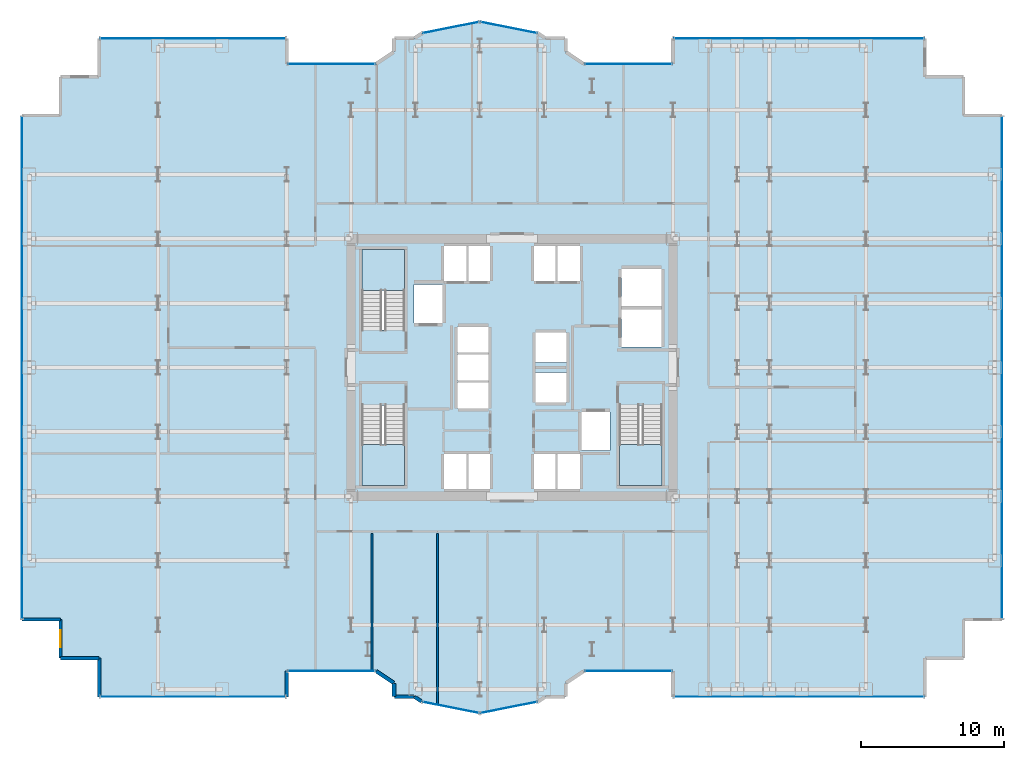
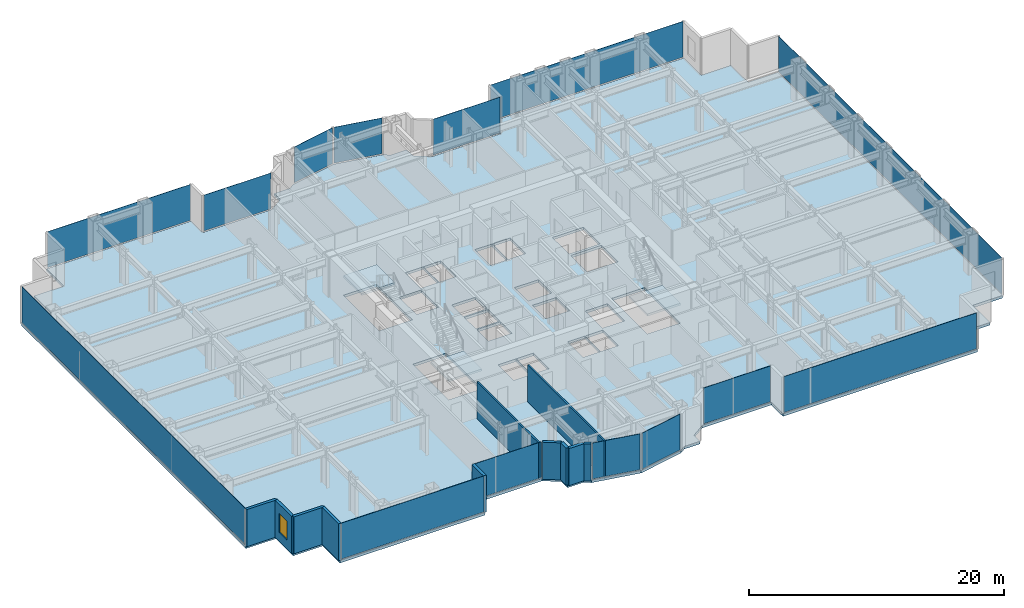
# One storey, part 19 of 26: 14 plates, 11 walls, 4 slabs, 1 window, 1 opening, 17 elements without a shape of their own.
"""IFC4 building model written with IfcOpenShell, lengths in metres."""

from ifc_helpers import new_model, si_unit, direction, frame, frame_2d, origin, origin_2d, place, context, subcontext, project, spatial, polyline, rectangle, outline, extrude, source, transform, mapped, material, layer, layer_set, type_object, element, fill, aggregate, save


model = new_model("IFC4")

# Units and contexts
model_context = context("Model", 3, precision=1e-05, world=origin(), true_north=direction((0.0, 1.0)))
body_context = subcontext(model_context, "Body", "Model", "MODEL_VIEW")
ifc_project = project(units=[si_unit("LENGTHUNIT", "METRE"), si_unit("AREAUNIT", "SQUARE_METRE"), si_unit("VOLUMEUNIT", "CUBIC_METRE"), si_unit("PLANEANGLEUNIT", "RADIAN"), si_unit("MASSUNIT", "GRAM", prefix="KILO")], contexts=[model_context])

# Site, building, storey
site_placement = place(None, origin())
site = spatial("IfcSite", under=ifc_project, at=site_placement, CompositionType="ELEMENT")
building_placement = place(site_placement, origin())
building = spatial("IfcBuilding", under=site, at=building_placement, Name="Nefas-Gora Pilgrimage Tower", CompositionType="ELEMENT")
storey_placement = place(building_placement, frame((0.0, 0.0, 59.60009765625)))
storey = spatial("IfcBuildingStorey", under=building, at=storey_placement, Name="L13", CompositionType="ELEMENT", Elevation=59.60009765625)

# Slab
ifc_material_1 = material(Name="Concrete C40/50", Category="concrete")
ifc_layer_1 = layer(ifc_material_1, 0.25)
ifc_layer_set_1 = layer_set([ifc_layer_1], Name="Concrete C40/50")
slab_type_1 = type_object("IfcSlabType", Name="SLB-TWR-250", PredefinedType="FLOOR", material=ifc_layer_set_1)
slab_1_placement = place(storey_placement, frame((0.0, 0.0, -0.25)))
element("IfcSlab", 1, at=slab_1_placement, inside=storey, type_object=slab_type_1, Name="L13 Structural Floor Slab", PredefinedType="FLOOR", context=body_context, shape_type="SweptSolid", body=[
    extrude(outline(polyline([(5.01806640625, -21.219970703125), (11.25, -21.219970703125), (11.25, -23.02001953125), (28.8701171875, -23.02001953125), (28.8701171875, -20.320068359375), (31.570068359375, -20.320068359375), (31.570068359375, -17.6201171875), (34.27001953125, -17.6201171875), (34.27001953125, 17.6201171875), (31.570068359375, 17.6201171875), (31.570068359375, 20.320068359375), (28.8701171875, 20.320068359375), (28.8701171875, 23.02001953125), (11.25, 23.02001953125), (11.25, 21.219970703125), (5.01806640625, 21.219970703125), (3.75, 22.0673828125), (3.75, 23.02001953125), (2.32421875, 23.02001953125), (1.807373046875, 23.365234375), (-2.25, 24.17236328125), (-6.307373046875, 23.365234375), (-6.82421875, 23.02001953125), (-8.25, 23.02001953125), (-8.25, 22.0673828125), (-9.51806640625, 21.219970703125), (-15.75, 21.219970703125), (-15.75, 23.02001953125), (-28.8701171875, 23.02001953125), (-28.8701171875, 20.320068359375), (-31.570068359375, 20.320068359375), (-31.570068359375, 17.6201171875), (-34.27001953125, 17.6201171875), (-34.27001953125, -17.6201171875), (-31.570068359375, -17.6201171875), (-31.570068359375, -20.320068359375), (-28.8701171875, -20.320068359375), (-28.8701171875, -23.02001953125), (-15.75, -23.02001953125), (-15.75, -21.219970703125), (-9.51806640625, -21.219970703125), (-8.25, -22.0673828125), (-8.25, -23.02001953125), (-6.82421875, -23.02001953125), (-6.307373046875, -23.365234375), (-2.25, -24.17236328125), (1.807373046875, -23.365234375), (2.32421875, -23.02001953125), (3.75, -23.02001953125), (3.75, -22.0673828125), (5.01806640625, -21.219970703125)]), holes=[polyline([(-10.5, 2.639892578125), (-10.5, 8.25), (-7.5, 8.25), (-7.5, 2.639892578125), (-10.5, 2.639892578125)]), polyline([(10.5, -2.639892578125), (10.5, -8.25), (7.5, -8.25), (7.5, -2.639892578125), (10.5, -2.639892578125)]), polyline([(-7.5, -2.639892578125), (-7.5, -8.25), (-10.5, -8.25), (-10.5, -2.639892578125), (-7.5, -2.639892578125)]), polyline([(-6.85009765625, 5.800048828125), (-4.85009765625, 5.800048828125), (-4.85009765625, 3.10009765625), (-6.85009765625, 3.10009765625), (-6.85009765625, 5.800048828125)]), polyline([(4.85009765625, -3.10009765625), (6.85009765625, -3.10009765625), (6.85009765625, -5.800048828125), (4.85009765625, -5.800048828125), (4.85009765625, -3.10009765625)]), polyline([(7.64990234375, 4.050048828125), (10.449951171875, 4.050048828125), (10.449951171875, 1.449951171875), (7.64990234375, 1.449951171875), (7.64990234375, 4.050048828125)]), polyline([(7.64990234375, 6.89990234375), (10.449951171875, 6.89990234375), (10.449951171875, 4.300048828125), (7.64990234375, 4.300048828125), (7.64990234375, 6.89990234375)]), polyline([(-4.75, 8.5), (-3.14990234375, 8.5), (-3.14990234375, 6.050048828125), (-4.75, 6.050048828125), (-4.75, 8.5)]), polyline([(-3.10009765625, 8.5), (-1.550048828125, 8.5), (-1.550048828125, 6.050048828125), (-3.10009765625, 6.050048828125), (-3.10009765625, 8.5)]), polyline([(1.550048828125, 8.5), (3.10009765625, 8.5), (3.10009765625, 6.050048828125), (1.550048828125, 6.050048828125), (1.550048828125, 8.5)]), polyline([(3.14990234375, 8.5), (4.75, 8.5), (4.75, 6.050048828125), (3.14990234375, 6.050048828125), (3.14990234375, 8.5)]), polyline([(-4.75, -6.050048828125), (-3.14990234375, -6.050048828125), (-3.14990234375, -8.5), (-4.75, -8.5), (-4.75, -6.050048828125)]), polyline([(-3.10009765625, -6.050048828125), (-1.550048828125, -6.050048828125), (-1.550048828125, -8.5), (-3.10009765625, -8.5), (-3.10009765625, -6.050048828125)]), polyline([(1.550048828125, -6.050048828125), (3.10009765625, -6.050048828125), (3.10009765625, -8.5), (1.550048828125, -8.5), (1.550048828125, -6.050048828125)]), polyline([(3.14990234375, -6.050048828125), (4.75, -6.050048828125), (4.75, -8.5), (3.14990234375, -8.5), (3.14990234375, -6.050048828125)]), polyline([(-3.800048828125, -1.050048828125), (-1.64990234375, -1.050048828125), (-1.64990234375, -2.85009765625), (-3.800048828125, -2.85009765625), (-3.800048828125, -1.050048828125)]), polyline([(-3.800048828125, 0.89990234375), (-1.64990234375, 0.89990234375), (-1.64990234375, -0.89990234375), (-3.800048828125, -0.89990234375), (-3.800048828125, 0.89990234375)]), polyline([(-3.800048828125, 2.85009765625), (-1.64990234375, 2.85009765625), (-1.64990234375, 1.050048828125), (-3.800048828125, 1.050048828125), (-3.800048828125, 2.85009765625)]), polyline([(1.64990234375, -0.35009765625), (3.800048828125, -0.35009765625), (3.800048828125, -2.449951171875), (1.64990234375, -2.449951171875), (1.64990234375, -0.35009765625)]), polyline([(1.64990234375, 2.449951171875), (3.800048828125, 2.449951171875), (3.800048828125, 0.35009765625), (1.64990234375, 0.35009765625), (1.64990234375, 2.449951171875)])]), origin(), (0.0, 0.0, 1.0), 0.25),
])

# Stair, slab
ifc_material_2 = material(Name="Concrete C45/55", Category="concrete")
stair_type = type_object("IfcStairType", Name="STR-1400-R1727", PredefinedType="HALF_TURN_STAIR", material=ifc_material_2)
stair_1_placement = place(storey_placement, origin())
stair_1 = element("IfcStair", 2, at=stair_1_placement, inside=storey, type_object=stair_type, Name="L13 Pressurised Tower Exit Stair ST-01", PredefinedType="HALF_TURN_STAIR")
ifc_layer_2 = layer(ifc_material_1, 0.199951171875)
ifc_layer_set_2 = layer_set([ifc_layer_2], Name="Concrete C40/50")
slab_type_2 = type_object("IfcSlabType", Name="STR-LAND-200", PredefinedType="LANDING", material=ifc_layer_set_2)
slab_2_placement = place(storey_placement, frame((0.0, 0.0, 1.699951171875)))
slab_2 = element("IfcSlab", 3, at=slab_2_placement, type_object=slab_type_2, Name="ST-01 landing 1", PredefinedType="LANDING", context=body_context, shape_type="SweptSolid", body=[
    extrude(outline(polyline([(-7.5, 5.39990234375), (-7.5, 8.25), (-10.5, 8.25), (-10.5, 5.39990234375), (-7.5, 5.39990234375)])), origin(), (0.0, 0.0, 1.0), 0.199951171875),
])
aggregate(stair_1, [slab_2])

stair_2_placement = place(storey_placement, origin())
stair_2 = element("IfcStair", 4, at=stair_2_placement, inside=storey, type_object=stair_type, Name="L13 Pressurised Tower Exit Stair ST-02", PredefinedType="HALF_TURN_STAIR")
slab_3_placement = place(storey_placement, frame((0.0, 0.0, 1.699951171875)))
slab_3 = element("IfcSlab", 5, at=slab_3_placement, type_object=slab_type_2, Name="ST-02 landing 1", PredefinedType="LANDING", context=body_context, shape_type="SweptSolid", body=[
    extrude(outline(polyline([(7.5, -5.39990234375), (7.5, -8.25), (10.5, -8.25), (10.5, -5.39990234375), (7.5, -5.39990234375)])), origin(), (0.0, 0.0, 1.0), 0.199951171875),
])
aggregate(stair_2, [slab_3])

stair_3_placement = place(storey_placement, origin())
stair_3 = element("IfcStair", 6, at=stair_3_placement, inside=storey, type_object=stair_type, Name="L13 Pressurised Tower Exit Stair ST-03", PredefinedType="HALF_TURN_STAIR")
slab_4_placement = place(storey_placement, frame((0.0, 0.0, 1.699951171875)))
slab_4 = element("IfcSlab", 7, at=slab_4_placement, type_object=slab_type_2, Name="ST-03 landing 1", PredefinedType="LANDING", context=body_context, shape_type="SweptSolid", body=[
    extrude(outline(polyline([(-10.5, -5.39990234375), (-10.5, -8.25), (-7.5, -8.25), (-7.5, -5.39990234375), (-10.5, -5.39990234375)])), origin(), (0.0, 0.0, 1.0), 0.199951171875),
])
aggregate(stair_3, [slab_4])

# Curtain wall, plate
ifc_material_3 = material(Name="Dark ceramic-fritted solar-control aluminium-glass curtain wall", Category="aluminium")
ifc_layer_3 = layer(ifc_material_3, 0.219970703125)
ifc_layer_set_3 = layer_set([ifc_layer_3], Name="Dark ceramic-fritted solar-control aluminium-glass curtain wall")
curtain_wall_type_1 = type_object("IfcCurtainWallType", Name="CW-SYS-5", PredefinedType="NOTDEFINED", material=ifc_layer_set_3)
curtain_wall_1_placement = place(storey_placement, origin())
curtain_wall_1 = element("IfcCurtainWall", 8, at=curtain_wall_1_placement, inside=storey, type_object=curtain_wall_type_1, Name="L13 Unitised Curtain Wall CW5", PredefinedType="NOTDEFINED")
ifc_material_4 = material(Name="Dark ceramic-printed low-e insulated glass", Category="glass")
ifc_layer_4 = layer(ifc_material_4, 0.028076171875)
ifc_layer_set_4 = layer_set([ifc_layer_4], Name="Dark ceramic-printed low-e insulated glass")
plate_type_1 = type_object("IfcPlateType", Name="CWP-PNL-5", PredefinedType="CURTAIN_PANEL", material=ifc_layer_set_4)
shared_shape_1 = source(origin(), body_context, "Body", "SweptSolid", [
    extrude(rectangle(XDim=6.052001953125, YDim=0.028076171875, at=origin_2d()), origin(), (0.0, 0.0, 1.0), 3.43994140625),
])
plate_1_placement = place(storey_placement, frame((8.134033203125, -21.219970703125, 0.099853515625), z_axis=(0.0, 0.0, 1.0), x_axis=(1.0, 0.0, 0.0)))
plate_1 = element("IfcPlate", 9, at=plate_1_placement, type_object=plate_type_1, Name="CW5 Ceramic-Fritted Glazing Panel 1", PredefinedType="CURTAIN_PANEL", context=body_context, shape_type="MappedRepresentation", body=[
    mapped(shared_shape_1, transform((0.0, 0.0, 0.0), x_axis=(1.0, 0.0, 0.0), y_axis=(0.0, 1.0, 0.0), z_axis=(0.0, 0.0, 1.0), scale=1.0)),
])
aggregate(curtain_wall_1, [plate_1])

curtain_wall_2_placement = place(storey_placement, origin())
curtain_wall_2 = element("IfcCurtainWall", 10, at=curtain_wall_2_placement, inside=storey, type_object=curtain_wall_type_1, Name="L13 Unitised Curtain Wall CW5", PredefinedType="NOTDEFINED")
plate_2_placement = place(storey_placement, frame((8.134033203125, 21.219970703125, 0.099853515625), z_axis=(0.0, 0.0, 1.0), x_axis=(-1.0, 0.0, 0.0)))
plate_2 = element("IfcPlate", 11, at=plate_2_placement, type_object=plate_type_1, Name="CW5 Ceramic-Fritted Glazing Panel 1", PredefinedType="CURTAIN_PANEL", context=body_context, shape_type="MappedRepresentation", body=[
    mapped(shared_shape_1, transform((0.0, 0.0, 0.0), x_axis=(1.0, 0.0, 0.0), y_axis=(0.0, 1.0, 0.0), z_axis=(0.0, 0.0, 1.0), scale=1.0)),
])
aggregate(curtain_wall_2, [plate_2])

curtain_wall_3_placement = place(storey_placement, origin())
curtain_wall_3 = element("IfcCurtainWall", 12, at=curtain_wall_3_placement, inside=storey, type_object=curtain_wall_type_1, Name="L13 Unitised Curtain Wall CW5", PredefinedType="NOTDEFINED")
plate_3_placement = place(storey_placement, frame((-12.634033203125, 21.219970703125, 0.099853515625), z_axis=(0.0, 0.0, 1.0), x_axis=(-1.0, 0.0, 0.0)))
plate_3 = element("IfcPlate", 13, at=plate_3_placement, type_object=plate_type_1, Name="CW5 Ceramic-Fritted Glazing Panel 1", PredefinedType="CURTAIN_PANEL", context=body_context, shape_type="MappedRepresentation", body=[
    mapped(shared_shape_1, transform((0.0, 0.0, 0.0), x_axis=(1.0, 0.0, 0.0), y_axis=(0.0, 1.0, 0.0), z_axis=(0.0, 0.0, 1.0), scale=1.0)),
])
aggregate(curtain_wall_3, [plate_3])

curtain_wall_4_placement = place(storey_placement, origin())
curtain_wall_4 = element("IfcCurtainWall", 14, at=curtain_wall_4_placement, inside=storey, type_object=curtain_wall_type_1, Name="L13 Unitised Curtain Wall CW5", PredefinedType="NOTDEFINED")
plate_4_placement = place(storey_placement, frame((-12.634033203125, -21.219970703125, 0.099853515625), z_axis=(0.0, 0.0, 1.0), x_axis=(1.0, 0.0, 0.0)))
plate_4 = element("IfcPlate", 15, at=plate_4_placement, type_object=plate_type_1, Name="CW5 Ceramic-Fritted Glazing Panel 1", PredefinedType="CURTAIN_PANEL", context=body_context, shape_type="MappedRepresentation", body=[
    mapped(shared_shape_1, transform((0.0, 0.0, 0.0), x_axis=(1.0, 0.0, 0.0), y_axis=(0.0, 1.0, 0.0), z_axis=(0.0, 0.0, 1.0), scale=1.0)),
])
aggregate(curtain_wall_4, [plate_4])

ifc_layer_5 = layer(ifc_material_3, 0.219970703125)
ifc_layer_set_5 = layer_set([ifc_layer_5], Name="Dark ceramic-fritted solar-control aluminium-glass curtain wall")
curtain_wall_type_2 = type_object("IfcCurtainWallType", Name="CW-SYS-2", PredefinedType="NOTDEFINED", material=ifc_layer_set_5)
curtain_wall_5_placement = place(storey_placement, origin())
curtain_wall_5 = element("IfcCurtainWall", 16, at=curtain_wall_5_placement, inside=storey, type_object=curtain_wall_type_2, Name="L13 Unitised Curtain Wall CW2", PredefinedType="NOTDEFINED")
ifc_layer_6 = layer(ifc_material_4, 0.031982421875)
ifc_layer_set_6 = layer_set([ifc_layer_6], Name="Dark ceramic-printed low-e insulated glass")
plate_type_2 = type_object("IfcPlateType", Name="CWP-PNL-2", PredefinedType="CURTAIN_PANEL", material=ifc_layer_set_6)
shared_shape_2 = source(origin(), body_context, "Body", "SweptSolid", [
    extrude(rectangle(XDim=17.43994140625, YDim=0.031982421875, at=origin_2d()), origin(), (0.0, 0.0, 1.0), 3.43994140625),
])
plate_5_placement = place(storey_placement, frame((20.06005859375, -23.02001953125, 0.099853515625), z_axis=(0.0, 0.0, 1.0), x_axis=(1.0, 0.0, 0.0)))
plate_5 = element("IfcPlate", 17, at=plate_5_placement, type_object=plate_type_2, Name="CW2 Ceramic-Fritted Glazing Panel 1", PredefinedType="CURTAIN_PANEL", context=body_context, shape_type="MappedRepresentation", body=[
    mapped(shared_shape_2, transform((0.0, 0.0, 0.0), x_axis=(1.0, 0.0, 0.0), y_axis=(0.0, 1.0, 0.0), z_axis=(0.0, 0.0, 1.0), scale=1.0)),
])
aggregate(curtain_wall_5, [plate_5])

curtain_wall_6_placement = place(storey_placement, origin())
curtain_wall_6 = element("IfcCurtainWall", 18, at=curtain_wall_6_placement, inside=storey, type_object=curtain_wall_type_2, Name="L13 Unitised Curtain Wall CW2", PredefinedType="NOTDEFINED")
plate_6_placement = place(storey_placement, frame((20.06005859375, 23.02001953125, 0.099853515625), z_axis=(0.0, 0.0, 1.0), x_axis=(-1.0, 0.0, 0.0)))
plate_6 = element("IfcPlate", 19, at=plate_6_placement, type_object=plate_type_2, Name="CW2 Ceramic-Fritted Glazing Panel 1", PredefinedType="CURTAIN_PANEL", context=body_context, shape_type="MappedRepresentation", body=[
    mapped(shared_shape_2, transform((0.0, 0.0, 0.0), x_axis=(1.0, 0.0, 0.0), y_axis=(0.0, 1.0, 0.0), z_axis=(0.0, 0.0, 1.0), scale=1.0)),
])
aggregate(curtain_wall_6, [plate_6])

curtain_wall_7_placement = place(storey_placement, origin())
curtain_wall_7 = element("IfcCurtainWall", 20, at=curtain_wall_7_placement, inside=storey, type_object=curtain_wall_type_1, Name="L13 Unitised Curtain Wall CW5", PredefinedType="NOTDEFINED")
shared_shape_3 = source(origin(), body_context, "Body", "SweptSolid", [
    extrude(rectangle(XDim=3.956787109375, YDim=0.028076171875, at=origin_2d()), origin(), (0.0, 0.0, 1.0), 3.43994140625),
])
plate_7_placement = place(storey_placement, frame((-0.22119140625, 23.768798828125, 0.099853515625), z_axis=(0.0, 0.0, 1.0), x_axis=(-0.980782896852, 0.195102304554, 0.0)))
plate_7 = element("IfcPlate", 21, at=plate_7_placement, type_object=plate_type_1, Name="CW5 Ceramic-Fritted Glazing Panel 1", PredefinedType="CURTAIN_PANEL", context=body_context, shape_type="MappedRepresentation", body=[
    mapped(shared_shape_3, transform((0.0, 0.0, 0.0), x_axis=(1.0, 0.0, 0.0), y_axis=(0.0, 1.0, 0.0), z_axis=(0.0, 0.0, 1.0), scale=1.0)),
])
aggregate(curtain_wall_7, [plate_7])

curtain_wall_8_placement = place(storey_placement, origin())
curtain_wall_8 = element("IfcCurtainWall", 22, at=curtain_wall_8_placement, inside=storey, type_object=curtain_wall_type_1, Name="L13 Unitised Curtain Wall CW5", PredefinedType="NOTDEFINED")
plate_8_placement = place(storey_placement, frame((-4.278564453125, 23.768798828125, 0.099853515625), z_axis=(0.0, 0.0, 1.0), x_axis=(-0.980782896852, -0.195102304554, 0.0)))
plate_8 = element("IfcPlate", 23, at=plate_8_placement, type_object=plate_type_1, Name="CW5 Ceramic-Fritted Glazing Panel 1", PredefinedType="CURTAIN_PANEL", context=body_context, shape_type="MappedRepresentation", body=[
    mapped(shared_shape_3, transform((0.0, 0.0, 0.0), x_axis=(1.0, 0.0, 0.0), y_axis=(0.0, 1.0, 0.0), z_axis=(0.0, 0.0, 1.0), scale=1.0)),
])
aggregate(curtain_wall_8, [plate_8])

curtain_wall_9_placement = place(storey_placement, origin())
curtain_wall_9 = element("IfcCurtainWall", 24, at=curtain_wall_9_placement, inside=storey, type_object=curtain_wall_type_1, Name="L13 Unitised Curtain Wall CW5", PredefinedType="NOTDEFINED")
plate_9_placement = place(storey_placement, frame((-4.278564453125, -23.768798828125, 0.099853515625), z_axis=(0.0, 0.0, 1.0), x_axis=(0.980782896852, -0.195102304554, 0.0)))
plate_9 = element("IfcPlate", 25, at=plate_9_placement, type_object=plate_type_1, Name="CW5 Ceramic-Fritted Glazing Panel 1", PredefinedType="CURTAIN_PANEL", context=body_context, shape_type="MappedRepresentation", body=[
    mapped(shared_shape_3, transform((0.0, 0.0, 0.0), x_axis=(1.0, 0.0, 0.0), y_axis=(0.0, 1.0, 0.0), z_axis=(0.0, 0.0, 1.0), scale=1.0)),
])
aggregate(curtain_wall_9, [plate_9])

curtain_wall_10_placement = place(storey_placement, origin())
curtain_wall_10 = element("IfcCurtainWall", 26, at=curtain_wall_10_placement, inside=storey, type_object=curtain_wall_type_1, Name="L13 Unitised Curtain Wall CW5", PredefinedType="NOTDEFINED")
plate_10_placement = place(storey_placement, frame((-0.221435546875, -23.768798828125, 0.099853515625), z_axis=(0.0, 0.0, 1.0), x_axis=(0.980782896852, 0.195102304554, 0.0)))
plate_10 = element("IfcPlate", 27, at=plate_10_placement, type_object=plate_type_1, Name="CW5 Ceramic-Fritted Glazing Panel 1", PredefinedType="CURTAIN_PANEL", context=body_context, shape_type="MappedRepresentation", body=[
    mapped(shared_shape_3, transform((0.0, 0.0, 0.0), x_axis=(1.0, 0.0, 0.0), y_axis=(0.0, 1.0, 0.0), z_axis=(0.0, 0.0, 1.0), scale=1.0)),
])
aggregate(curtain_wall_10, [plate_10])

curtain_wall_11_placement = place(storey_placement, origin())
curtain_wall_11 = element("IfcCurtainWall", 28, at=curtain_wall_11_placement, inside=storey, type_object=curtain_wall_type_2, Name="L13 Unitised Curtain Wall CW2", PredefinedType="NOTDEFINED")
shared_shape_4 = source(origin(), body_context, "Body", "SweptSolid", [
    extrude(rectangle(XDim=12.93994140625, YDim=0.031982421875, at=origin_2d()), origin(), (0.0, 0.0, 1.0), 3.43994140625),
])
plate_11_placement = place(storey_placement, frame((-22.31005859375, 23.02001953125, 0.099853515625), z_axis=(0.0, 0.0, 1.0), x_axis=(-1.0, 0.0, 0.0)))
plate_11 = element("IfcPlate", 29, at=plate_11_placement, type_object=plate_type_2, Name="CW2 Ceramic-Fritted Glazing Panel 1", PredefinedType="CURTAIN_PANEL", context=body_context, shape_type="MappedRepresentation", body=[
    mapped(shared_shape_4, transform((0.0, 0.0, 0.0), x_axis=(1.0, 0.0, 0.0), y_axis=(0.0, 1.0, 0.0), z_axis=(0.0, 0.0, 1.0), scale=1.0)),
])
aggregate(curtain_wall_11, [plate_11])

curtain_wall_12_placement = place(storey_placement, origin())
curtain_wall_12 = element("IfcCurtainWall", 30, at=curtain_wall_12_placement, inside=storey, type_object=curtain_wall_type_2, Name="L13 Unitised Curtain Wall CW2", PredefinedType="NOTDEFINED")
plate_12_placement = place(storey_placement, frame((-22.31005859375, -23.02001953125, 0.099853515625), z_axis=(0.0, 0.0, 1.0), x_axis=(1.0, 0.0, 0.0)))
plate_12 = element("IfcPlate", 31, at=plate_12_placement, type_object=plate_type_2, Name="CW2 Ceramic-Fritted Glazing Panel 1", PredefinedType="CURTAIN_PANEL", context=body_context, shape_type="MappedRepresentation", body=[
    mapped(shared_shape_4, transform((0.0, 0.0, 0.0), x_axis=(1.0, 0.0, 0.0), y_axis=(0.0, 1.0, 0.0), z_axis=(0.0, 0.0, 1.0), scale=1.0)),
])
aggregate(curtain_wall_12, [plate_12])

curtain_wall_13_placement = place(storey_placement, origin())
curtain_wall_13 = element("IfcCurtainWall", 32, at=curtain_wall_13_placement, inside=storey, type_object=curtain_wall_type_2, Name="L13 Unitised Curtain Wall CW2", PredefinedType="NOTDEFINED")
shared_shape_5 = source(origin(), body_context, "Body", "SweptSolid", [
    extrude(rectangle(XDim=35.06005859375, YDim=0.031982421875, at=origin_2d()), origin(), (0.0, 0.0, 1.0), 3.43994140625),
])
plate_13_placement = place(storey_placement, frame((34.27001953125, 0.0, 0.099853515625), z_axis=(0.0, 0.0, 1.0), x_axis=(0.0, 1.0, 0.0)))
plate_13 = element("IfcPlate", 33, at=plate_13_placement, type_object=plate_type_2, Name="CW2 Ceramic-Fritted Glazing Panel 1", PredefinedType="CURTAIN_PANEL", context=body_context, shape_type="MappedRepresentation", body=[
    mapped(shared_shape_5, transform((0.0, 0.0, 0.0), x_axis=(1.0, 0.0, 0.0), y_axis=(0.0, 1.0, 0.0), z_axis=(0.0, 0.0, 1.0), scale=1.0)),
])
aggregate(curtain_wall_13, [plate_13])

curtain_wall_14_placement = place(storey_placement, origin())
curtain_wall_14 = element("IfcCurtainWall", 34, at=curtain_wall_14_placement, inside=storey, type_object=curtain_wall_type_2, Name="L13 Unitised Curtain Wall CW2", PredefinedType="NOTDEFINED")
plate_14_placement = place(storey_placement, frame((-34.27001953125, 0.0, 0.099853515625), z_axis=(0.0, 0.0, 1.0), x_axis=(0.0, -1.0, 0.0)))
plate_14 = element("IfcPlate", 35, at=plate_14_placement, type_object=plate_type_2, Name="CW2 Ceramic-Fritted Glazing Panel 1", PredefinedType="CURTAIN_PANEL", context=body_context, shape_type="MappedRepresentation", body=[
    mapped(shared_shape_5, transform((0.0, 0.0, 0.0), x_axis=(1.0, 0.0, 0.0), y_axis=(0.0, 1.0, 0.0), z_axis=(0.0, 0.0, 1.0), scale=1.0)),
])
aggregate(curtain_wall_14, [plate_14])

# Walls
ifc_material_5 = material(Name="Precast concrete C40/50", Category="concrete")
ifc_layer_7 = layer(ifc_material_5, 0.260009765625)
ifc_layer_set_7 = layer_set([ifc_layer_7], Name="Precast concrete C40/50")
wall_type_1 = type_object("IfcWallType", Name="EW-PORTAL-260", PredefinedType="SOLIDWALL", material=ifc_layer_set_7)
shared_shape_6 = source(origin(), body_context, "Body", "SweptSolid", [
    extrude(rectangle(XDim=1.800048828125, YDim=0.260009765625, at=frame_2d((0.89990234375, 0.0))), origin(), (0.0, 0.0, 1.0), 3.5498046875),
])
wall_1_placement = place(storey_placement, frame((-15.75, -23.02001953125, 0.0), z_axis=(0.0, 0.0, 1.0), x_axis=(0.0, 1.0, 0.0)))
element("IfcWall", 36, at=wall_1_placement, inside=storey, type_object=wall_type_1, Name="L13 Lobe Shoulder Precast Spandrel Pier 28", PredefinedType="SOLIDWALL", context=body_context, shape_type="MappedRepresentation", body=[
    mapped(shared_shape_6, transform((0.0, 0.0, 0.0), x_axis=(1.0, 0.0, 0.0), y_axis=(0.0, 1.0, 0.0), z_axis=(0.0, 0.0, 1.0), scale=1.0)),
])
ifc_material_6 = material(Name="Precast concrete C45/55", Category="concrete")
ifc_layer_8 = layer(ifc_material_6, 0.239990234375)
ifc_layer_set_8 = layer_set([ifc_layer_8], Name="Precast concrete C45/55")
wall_type_2 = type_object("IfcWallType", Name="EW-SERR-240", PredefinedType="SHEAR", material=ifc_layer_set_8)
shared_shape_7 = source(origin(), body_context, "Body", "SweptSolid", [
    extrude(rectangle(XDim=2.699951171875, YDim=0.239990234375, at=frame_2d((1.35009765625, 0.0))), origin(), (0.0, 0.0, 1.0), 3.5498046875),
])
wall_2_placement = place(storey_placement, frame((-34.27001953125, -17.6201171875, 0.0), z_axis=(0.0, 0.0, 1.0), x_axis=(1.0, 0.0, 0.0)))
element("IfcWall", 37, at=wall_2_placement, inside=storey, type_object=wall_type_2, Name="L13 Serrated Corner Shear Pier Wall 24", PredefinedType="SHEAR", context=body_context, shape_type="MappedRepresentation", body=[
    mapped(shared_shape_7, transform((0.0, 0.0, 0.0), x_axis=(1.0, 0.0, 0.0), y_axis=(0.0, 1.0, 0.0), z_axis=(0.0, 0.0, 1.0), scale=1.0)),
])

# Wall, opening, window
wall_3_placement = place(storey_placement, frame((-31.570068359375, -17.6201171875, 0.0), z_axis=(0.0, 0.0, 1.0), x_axis=(0.0, -1.0, 0.0)))
wall_3 = element("IfcWall", 38, at=wall_3_placement, inside=storey, type_object=wall_type_2, Name="L13 Serrated Corner Shear Pier Wall 25", PredefinedType="SHEAR", context=body_context, shape_type="MappedRepresentation", body=[
    mapped(shared_shape_7, transform((0.0, 0.0, 0.0), x_axis=(1.0, 0.0, 0.0), y_axis=(0.0, 1.0, 0.0), z_axis=(0.0, 0.0, 1.0), scale=1.0)),
])
opening_placement = place(wall_3_placement, frame((0.75, 0.0, 0.85009765625)))
opening = element("IfcOpeningElement", 39, at=opening_placement, cuts=wall_3, Name="Opening W-V1", PredefinedType="OPENING", context=body_context, shape_type="SweptSolid", body=[
    extrude(rectangle(XDim=1.199951171875, YDim=1.800048828125, at=frame_2d((0.60009765625, 0.89990234375))), frame((0.0, 0.1298828125, 0.0), z_axis=(0.0, -1.0, 0.0), x_axis=(1.0, 0.0, 0.0)), (0.0, 0.0, 1.0), 0.260009765625),
])
ifc_material_7 = material(Name="Dark ceramic-fritted operable aluminium-glass window", Category="aluminium")
window_type = type_object("IfcWindowType", Name="WIN-VENT-1200x1800", PartitioningType="SINGLE_PANEL", PredefinedType="WINDOW", material=ifc_material_7)
shared_shape_8 = source(origin(), body_context, "Body", "SweptSolid", [
    extrude(rectangle(XDim=1.199951171875, YDim=1.800048828125, at=frame_2d((0.60009765625, 0.89990234375))), frame((0.0, 0.030029296875, 0.0), z_axis=(0.0, -1.0, 0.0), x_axis=(1.0, 0.0, 0.0)), (0.0, 0.0, 1.0), 0.06005859375),
])
window_placement = place(opening_placement, origin())
window = element("IfcWindow", 40, at=window_placement, inside=storey, type_object=window_type, Name="L13 Operable Parallel-Outswing Window 25", OverallHeight=1.800048828125, OverallWidth=1.199951171875, PartitioningType="SINGLE_PANEL", PredefinedType="WINDOW", context=body_context, shape_type="MappedRepresentation", body=[
    mapped(shared_shape_8, transform((0.0, 0.0, 0.0), x_axis=(1.0, 0.0, 0.0), y_axis=(0.0, 1.0, 0.0), z_axis=(0.0, 0.0, 1.0), scale=1.0)),
])
fill(opening, window)

# Walls
for number, where, z_axis, x_axis, name in (
    (41, (-31.570068359375, -20.320068359375, 0.0), (0.0, 0.0, 1.0), (1.0, 0.0, 0.0), "L13 Serrated Corner Shear Pier Wall 26"),
    (42, (-28.8701171875, -20.320068359375, 0.0), (0.0, 0.0, 1.0), (0.0, -1.0, 0.0), "L13 Serrated Corner Shear Pier Wall 27"),
):
    element("IfcWall", number, at=place(storey_placement, frame(where, z_axis=z_axis, x_axis=x_axis)), inside=storey, type_object=wall_type_2, Name=name, PredefinedType="SHEAR", context=body_context, shape_type="MappedRepresentation", body=[
        mapped(shared_shape_7, transform((0.0, 0.0, 0.0), x_axis=(1.0, 0.0, 0.0), y_axis=(0.0, 1.0, 0.0), z_axis=(0.0, 0.0, 1.0), scale=1.0)),
    ])
shared_shape_9 = source(origin(), body_context, "Body", "SweptSolid", [
    extrude(rectangle(XDim=1.468994140625, YDim=0.260009765625, at=frame_2d((0.734375, 0.0))), origin(), (0.0, 0.0, 1.0), 3.5498046875),
])
wall_4_placement = place(storey_placement, frame((-9.49462890625, -21.235595703125, 0.0), z_axis=(0.0, 0.0, 1.0), x_axis=(0.831461760506, -0.555581983884, 0.0)))
element("IfcWall", 43, at=wall_4_placement, inside=storey, type_object=wall_type_1, Name="L13 Lobe Shoulder Precast Spandrel Pier 29", PredefinedType="SOLIDWALL", context=body_context, shape_type="MappedRepresentation", body=[
    mapped(shared_shape_9, transform((0.0, 0.0, 0.0), x_axis=(1.0, 0.0, 0.0), y_axis=(0.0, 1.0, 0.0), z_axis=(0.0, 0.0, 1.0), scale=1.0)),
])
shared_shape_10 = source(origin(), body_context, "Body", "SweptSolid", [
    extrude(rectangle(XDim=0.896728515625, YDim=0.260009765625, at=frame_2d((0.4482421875, 0.0))), origin(), (0.0, 0.0, 1.0), 3.5498046875),
])
wall_5_placement = place(storey_placement, frame((-8.25, -22.09521484375, 0.0), z_axis=(0.0, 0.0, 1.0), x_axis=(0.0, -1.0, 0.0)))
element("IfcWall", 44, at=wall_5_placement, inside=storey, type_object=wall_type_1, Name="L13 Lobe Shoulder Precast Spandrel Pier 30", PredefinedType="SOLIDWALL", context=body_context, shape_type="MappedRepresentation", body=[
    mapped(shared_shape_10, transform((0.0, 0.0, 0.0), x_axis=(1.0, 0.0, 0.0), y_axis=(0.0, 1.0, 0.0), z_axis=(0.0, 0.0, 1.0), scale=1.0)),
])
shared_shape_11 = source(origin(), body_context, "Body", "SweptSolid", [
    extrude(rectangle(XDim=1.369873046875, YDim=0.260009765625, at=frame_2d((0.68505859375, 0.0))), origin(), (0.0, 0.0, 1.0), 3.5498046875),
])
wall_6_placement = place(storey_placement, frame((-8.221923828125, -23.02001953125, 0.0), z_axis=(0.0, 0.0, 1.0), x_axis=(1.0, 0.0, 0.0)))
element("IfcWall", 45, at=wall_6_placement, inside=storey, type_object=wall_type_1, Name="L13 Lobe Shoulder Precast Spandrel Pier 31", PredefinedType="SOLIDWALL", context=body_context, shape_type="MappedRepresentation", body=[
    mapped(shared_shape_11, transform((0.0, 0.0, 0.0), x_axis=(1.0, 0.0, 0.0), y_axis=(0.0, 1.0, 0.0), z_axis=(0.0, 0.0, 1.0), scale=1.0)),
])
shared_shape_12 = source(origin(), body_context, "Body", "SweptSolid", [
    extrude(rectangle(XDim=0.5654296875, YDim=0.260009765625, at=frame_2d((0.28271484375, 0.0))), origin(), (0.0, 0.0, 1.0), 3.5498046875),
])
wall_7_placement = place(storey_placement, frame((-6.80078125, -23.03564453125, 0.0), z_axis=(0.0, 0.0, 1.0), x_axis=(0.831651492666, -0.555297933317, 0.0)))
element("IfcWall", 46, at=wall_7_placement, inside=storey, type_object=wall_type_1, Name="L13 Lobe Shoulder Precast Spandrel Pier 32", PredefinedType="SOLIDWALL", context=body_context, shape_type="MappedRepresentation", body=[
    mapped(shared_shape_12, transform((0.0, 0.0, 0.0), x_axis=(1.0, 0.0, 0.0), y_axis=(0.0, 1.0, 0.0), z_axis=(0.0, 0.0, 1.0), scale=1.0)),
])
ifc_material_8 = material(Name="Gypsum twin-stud partition")
ifc_layer_9 = layer(ifc_material_8, 0.139892578125)
ifc_layer_set_9 = layer_set([ifc_layer_9], Name="Gypsum twin-stud partition")
wall_type_3 = type_object("IfcWallType", Name="IW-UNIT-140", PredefinedType="PARTITIONING", material=ifc_layer_set_9)
shared_shape_13 = source(origin(), body_context, "Body", "SweptSolid", [
    extrude(rectangle(XDim=9.64990234375, YDim=0.139892578125, at=frame_2d((4.824951171875, 0.0))), origin(), (0.0, 0.0, 1.0), 3.534912109375),
])
wall_8_placement = place(storey_placement, frame((-9.804931640625, -21.239990234375, 0.0), z_axis=(0.0, 0.0, 1.0), x_axis=(0.0, 1.0, 0.0)))
element("IfcWall", 47, at=wall_8_placement, inside=storey, type_object=wall_type_3, Name="L13 Pilgrim Contemplative Lounge Partition Wall 55", PredefinedType="PARTITIONING", context=body_context, shape_type="MappedRepresentation", body=[
    mapped(shared_shape_13, transform((0.0, 0.0, 0.0), x_axis=(1.0, 0.0, 0.0), y_axis=(0.0, 1.0, 0.0), z_axis=(0.0, 0.0, 1.0), scale=1.0)),
])
shared_shape_14 = source(origin(), body_context, "Body", "SweptSolid", [
    extrude(rectangle(XDim=12.016845703125, YDim=0.139892578125, at=frame_2d((6.00830078125, 0.0))), origin(), (0.0, 0.0, 1.0), 3.534912109375),
])
wall_9_placement = place(storey_placement, frame((-5.205078125, -23.60693359375, 0.0), z_axis=(0.0, 0.0, 1.0), x_axis=(0.0, 1.0, 0.0)))
element("IfcWall", 48, at=wall_9_placement, inside=storey, type_object=wall_type_3, Name="L13 Pilgrim Contemplative Lounge Partition Wall 57", PredefinedType="PARTITIONING", context=body_context, shape_type="MappedRepresentation", body=[
    mapped(shared_shape_14, transform((0.0, 0.0, 0.0), x_axis=(1.0, 0.0, 0.0), y_axis=(0.0, 1.0, 0.0), z_axis=(0.0, 0.0, 1.0), scale=1.0)),
])

save(model, "model.ifc")
